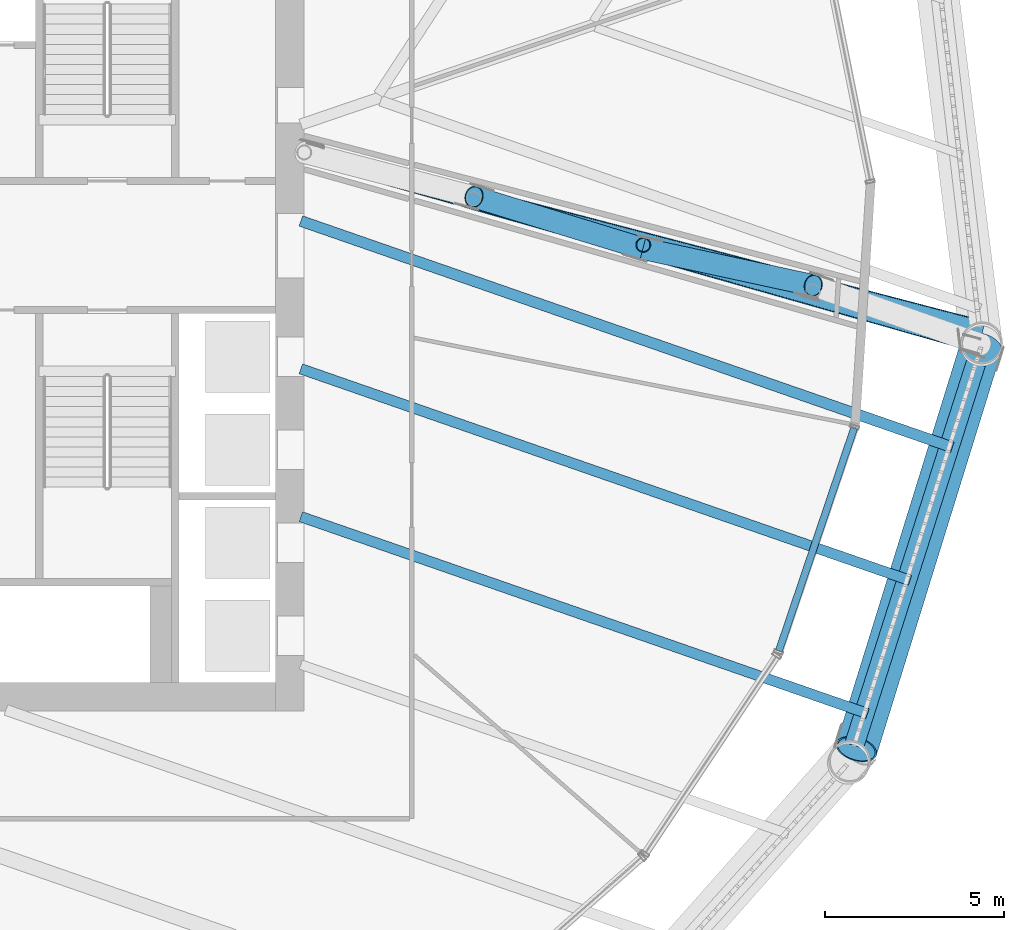
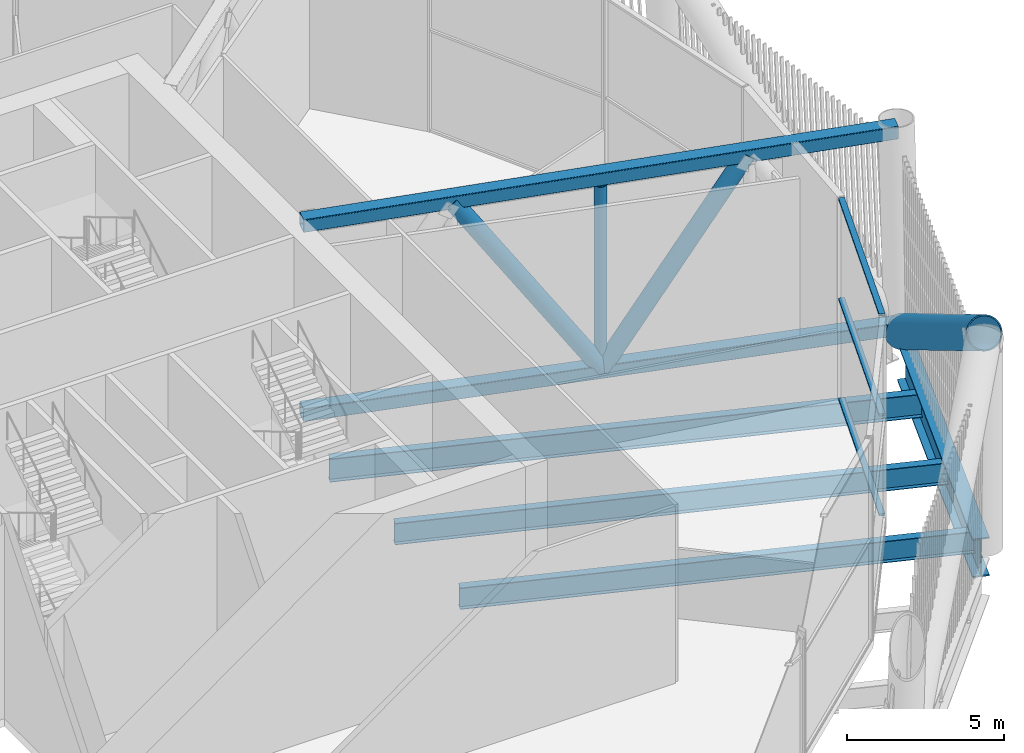
# One storey, part 20 of 63: 9 members, 4 beams, 1 element without a shape of its own.
"""IFC4 building model written with IfcOpenShell, lengths in metres."""

from ifc_helpers import new_model, si_unit, direction, frame, origin, origin_2d, place, context, subcontext, project, spatial, hollow_rectangle, hollow_circle, i_section, extrude, material, layer, layer_set, material_profile, profile_set, type_object, element, aggregate, save


model = new_model("IFC4")

# Units and contexts
model_context = context("Model", 3, precision=1e-05, world=origin(), true_north=direction((0.0, 1.0)))
body_context = subcontext(model_context, "Body", "Model", "MODEL_VIEW")
ifc_project = project(units=[si_unit("LENGTHUNIT", "METRE"), si_unit("AREAUNIT", "SQUARE_METRE"), si_unit("VOLUMEUNIT", "CUBIC_METRE"), si_unit("PLANEANGLEUNIT", "RADIAN"), si_unit("MASSUNIT", "GRAM", prefix="KILO")], contexts=[model_context])

# Site, building, storey
site_placement = place(None, origin())
site = spatial("IfcSite", under=ifc_project, at=site_placement, CompositionType="ELEMENT")
building_placement = place(site_placement, origin())
building = spatial("IfcBuilding", under=site, at=building_placement, Name="Tarsis Ring Headquarters", CompositionType="ELEMENT")
storey_placement = place(building_placement, frame((0.0, 0.0, 139.60009765625)))
storey = spatial("IfcBuildingStorey", under=building, at=storey_placement, Name="L32", CompositionType="ELEMENT", Elevation=139.60009765625)

# Curtain wall, members
ifc_material_1 = material(Name="Aluminium curtain wall", Category="aluminium")
ifc_layer = layer(ifc_material_1, 0.25)
ifc_layer_set = layer_set([ifc_layer], Name="Curtain wall sky lobby")
curtain_wall_type = type_object("IfcCurtainWallType", Name="Curtain wall sky lobby", PredefinedType="NOTDEFINED", material=ifc_layer_set)
curtain_wall_placement = place(storey_placement, origin())
curtain_wall = element("IfcCurtainWall", 1, at=curtain_wall_placement, inside=storey, type_object=curtain_wall_type, Name="Curtain wall L32-21", PredefinedType="NOTDEFINED")
ifc_material_2 = material(Name="Aluminium transom", Category="aluminium")
ifc_material_profile_1 = material_profile(ifc_material_2, hollow_rectangle(XDim=0.199951171875, YDim=0.080078125, WallThickness=0.0048828125, at=origin_2d()), Name="RHS 200x80x5")
ifc_profile_set_1 = profile_set([ifc_material_profile_1], Name="Aluminium transom")
member_type_1 = type_object("IfcMemberType", Name="Curtain wall transom sky lobby RHS 200x80x5", PredefinedType="USERDEFINED", material=ifc_profile_set_1)
member_1_placement = place(storey_placement, frame((23.25439453125, -11.31591796875, 0.039794921875), z_axis=(0.319953588902, 0.947433217144, 0.0), x_axis=(-0.947433217144, 0.319953588902, 0.0)))
member_1 = element("IfcMember", 2, at=member_1_placement, type_object=member_type_1, Name="CW-S transom 1.1", ObjectType="TRANSOM", PredefinedType="USERDEFINED", context=body_context, shape_type="SweptSolid", body=[
    extrude(hollow_rectangle(XDim=0.199951171875, YDim=0.080078125, WallThickness=0.0048828125, at=origin_2d()), origin(), (0.0, 0.0, 1.0), 6.5615234375),
])
member_2_placement = place(storey_placement, frame((23.25439453125, -11.31591796875, 3.919921875), z_axis=(0.319953588902, 0.947433217144, 0.0), x_axis=(-0.947433217144, 0.319953588902, 0.0)))
member_2 = element("IfcMember", 3, at=member_2_placement, type_object=member_type_1, Name="CW-S transom 1.2", ObjectType="TRANSOM", PredefinedType="USERDEFINED", context=body_context, shape_type="SweptSolid", body=[
    extrude(hollow_rectangle(XDim=0.199951171875, YDim=0.080078125, WallThickness=0.0048828125, at=origin_2d()), origin(), (0.0, 0.0, 1.0), 6.5615234375),
])
member_3_placement = place(storey_placement, frame((23.25439453125, -11.31591796875, 7.7998046875), z_axis=(0.319953588902, 0.947433217144, 0.0), x_axis=(-0.947433217144, 0.319953588902, 0.0)))
member_3 = element("IfcMember", 4, at=member_3_placement, type_object=member_type_1, Name="CW-S transom 1.3", ObjectType="TRANSOM", PredefinedType="USERDEFINED", context=body_context, shape_type="SweptSolid", body=[
    extrude(hollow_rectangle(XDim=0.199951171875, YDim=0.080078125, WallThickness=0.0048828125, at=origin_2d()), origin(), (0.0, 0.0, 1.0), 6.5615234375),
])
aggregate(curtain_wall, [member_1, member_2, member_3])

# Beams
ifc_material_3 = material(Name="Structural steel S355", Category="steel")
ifc_material_profile_2 = material_profile(ifc_material_3, i_section(OverallWidth=0.2919921875, OverallDepth=0.835693359375, WebThickness=0.013916015625, FlangeThickness=0.018798828125, at=origin_2d()), Name="W33x118")
ifc_profile_set_2 = profile_set([ifc_material_profile_2], Name="Structural steel S355")
beam_type_1 = type_object("IfcBeamType", Name="FB Floor beam W33x118", PredefinedType="JOIST", material=ifc_profile_set_2)
beam_1_placement = place(storey_placement, frame((9.905517578125, -3.441650390625, -0.718017578125), z_axis=(0.944605595698, -0.328207660752, 0.0), x_axis=(0.328207660752, 0.944605595698, 0.0)))
element("IfcBeam", 5, at=beam_1_placement, inside=storey, type_object=beam_type_1, Name="Floor beam FB7", PredefinedType="JOIST", context=body_context, shape_type="SweptSolid", body=[
    extrude(i_section(OverallWidth=0.2919921875, OverallDepth=0.835693359375, WebThickness=0.013916015625, FlangeThickness=0.018798828125, at=origin_2d()), origin(), (0.0, 0.0, 1.0), 18.003662109375),
])
beam_2_placement = place(storey_placement, frame((9.905517578125, -7.5703125, -0.718017578125), z_axis=(0.944603323671, -0.328214199738, 0.0), x_axis=(0.328214199738, 0.944603323671, 0.0)))
element("IfcBeam", 6, at=beam_2_placement, inside=storey, type_object=beam_type_1, Name="Floor beam FB7", PredefinedType="JOIST", context=body_context, shape_type="SweptSolid", body=[
    extrude(i_section(OverallWidth=0.2919921875, OverallDepth=0.835693359375, WebThickness=0.013916015625, FlangeThickness=0.018798828125, at=origin_2d()), origin(), (0.0, 0.0, 1.0), 16.75),
])
ifc_material_profile_3 = material_profile(ifc_material_3, i_section(OverallWidth=0.3046875, OverallDepth=0.904296875, WebThickness=0.01513671875, FlangeThickness=0.02001953125, at=origin_2d()), Name="W36x135")
ifc_profile_set_3 = profile_set([ifc_material_profile_3], Name="Structural steel S355")
beam_type_2 = type_object("IfcBeamType", Name="FB Floor beam W36x135", PredefinedType="JOIST", material=ifc_profile_set_3)
beam_3_placement = place(storey_placement, frame((9.905517578125, 0.68701171875, -0.752197265625), z_axis=(0.944605007081, -0.328209354829, 0.0), x_axis=(0.328209354829, 0.944605007081, 0.0)))
element("IfcBeam", 7, at=beam_3_placement, inside=storey, type_object=beam_type_2, Name="Floor beam FB8", PredefinedType="JOIST", context=body_context, shape_type="SweptSolid", body=[
    extrude(i_section(OverallWidth=0.3046875, OverallDepth=0.904296875, WebThickness=0.01513671875, FlangeThickness=0.02001953125, at=origin_2d()), origin(), (0.0, 0.0, 1.0), 19.2578125),
])

# Members
ifc_material_profile_4 = material_profile(ifc_material_3, hollow_rectangle(XDim=0.508056640625, YDim=0.508056640625, WallThickness=0.025390625, InnerFilletRadius=0.025390625, OuterFilletRadius=0.05078125, at=origin_2d()), Name="HSS 508x508x25")
ifc_profile_set_4 = profile_set([ifc_material_profile_4], Name="Structural steel S355")
member_type_2 = type_object("IfcMemberType", Name="OC Outrigger chord HSS 508x508x25", PredefinedType="CHORD", material=ifc_profile_set_4)
member_4_placement = place(storey_placement, frame((10.0, 2.60009765625, 0.25390625), z_axis=(0.96197243714, -0.273146536101, 0.0), x_axis=(0.273146536101, 0.96197243714, 0.0)))
element("IfcMember", 8, at=member_4_placement, inside=storey, type_object=member_type_2, Name="Outrigger chord OC1", PredefinedType="CHORD", context=body_context, shape_type="SweptSolid", body=[
    extrude(hollow_rectangle(XDim=0.508056640625, YDim=0.508056640625, WallThickness=0.025390625, InnerFilletRadius=0.025390625, OuterFilletRadius=0.05078125, at=origin_2d()), origin(), (0.0, 0.0, 1.0), 19.663818359375),
])
member_5_placement = place(storey_placement, frame((10.0, 2.60009765625, 7.5859375), z_axis=(0.967487975303, -0.25291701731, 0.0), x_axis=(0.25291701731, 0.967487975303, 0.0)))
element("IfcMember", 9, at=member_5_placement, inside=storey, type_object=member_type_2, Name="Outrigger chord OC1", PredefinedType="CHORD", context=body_context, shape_type="SweptSolid", body=[
    extrude(hollow_rectangle(XDim=0.508056640625, YDim=0.508056640625, WallThickness=0.025390625, InnerFilletRadius=0.025390625, OuterFilletRadius=0.05078125, at=origin_2d()), origin(), (0.0, 0.0, 1.0), 19.58984375),
])
ifc_material_profile_5 = material_profile(ifc_material_3, hollow_circle(Radius=0.3046875, WallThickness=0.02490234375, at=origin_2d()), Name="CHS 610x25")
ifc_profile_set_5 = profile_set([ifc_material_profile_5], Name="Structural steel S355")
member_type_3 = type_object("IfcMemberType", Name="OD Outrigger diagonal CHS 610x25", PredefinedType="BRACE", material=ifc_profile_set_5)
member_6_placement = place(storey_placement, frame((14.73828125, 1.361328125, 7.5859375), z_axis=(0.533966995376, -0.163681378781, -0.829510490644), x_axis=(0.293077846788, 0.956088581525, 0.0)))
element("IfcMember", 10, at=member_6_placement, inside=storey, type_object=member_type_3, Name="Outrigger diagonal OD1", PredefinedType="BRACE", context=body_context, shape_type="SweptSolid", body=[
    extrude(hollow_circle(Radius=0.3046875, WallThickness=0.02490234375, at=origin_2d()), origin(), (0.0, 0.0, 1.0), 8.8388671875),
])
member_7_placement = place(storey_placement, frame((19.4580078125, -0.08544921875, 0.25390625), z_axis=(0.540503260535, -0.117072512419, 0.83315679928), x_axis=(0.211690259455, 0.977336806864, 0.0)))
element("IfcMember", 11, at=member_7_placement, inside=storey, type_object=member_type_3, Name="Outrigger diagonal OD1", PredefinedType="BRACE", context=body_context, shape_type="SweptSolid", body=[
    extrude(hollow_circle(Radius=0.3046875, WallThickness=0.02490234375, at=origin_2d()), origin(), (0.0, 0.0, 1.0), 8.80029296875),
])
ifc_material_profile_6 = material_profile(ifc_material_3, hollow_circle(Radius=0.203125, WallThickness=0.01611328125, at=origin_2d()), Name="CHS 406x16")
ifc_profile_set_6 = profile_set([ifc_material_profile_6], Name="Structural steel S355")
member_type_4 = type_object("IfcMemberType", Name="OV Outrigger post CHS 406x16", PredefinedType="STRUT", material=ifc_profile_set_6)
member_8_placement = place(storey_placement, frame((19.46728515625, 0.0185546875, 0.5078125), z_axis=(0.0, 0.0, 1.0), x_axis=(1.0, 0.0, 0.0)))
element("IfcMember", 12, at=member_8_placement, inside=storey, type_object=member_type_4, Name="Outrigger post OV1", PredefinedType="STRUT", context=body_context, shape_type="SweptSolid", body=[
    extrude(hollow_circle(Radius=0.203125, WallThickness=0.01611328125, at=origin_2d()), origin(), (0.0, 0.0, 1.0), 6.823974609375),
])
ifc_material_profile_7 = material_profile(ifc_material_3, hollow_circle(Radius=0.584228515625, WallThickness=0.044921875, at=origin_2d()), Name="CHS 1168x45")
ifc_profile_set_7 = profile_set([ifc_material_profile_7], Name="Structural steel S355")
member_type_5 = type_object("IfcMemberType", Name="TD Belt truss diagonal CHS 1168x45", PredefinedType="BRACE", material=ifc_profile_set_7)
member_9_placement = place(storey_placement, frame((28.91455078125, -2.785400390625, 0.0), z_axis=(-0.245095444053, -0.790644273378, 0.561079188956), x_axis=(0.955158788745, -0.296094053104, 0.0)))
element("IfcMember", 13, at=member_9_placement, inside=storey, type_object=member_type_5, Name="Belt truss diagonal TD3", PredefinedType="BRACE", context=body_context, shape_type="SweptSolid", body=[
    extrude(hollow_circle(Radius=0.584228515625, WallThickness=0.044921875, at=origin_2d()), origin(), (0.0, 0.0, 1.0), 14.25830078125),
])

# Beam
ifc_material_profile_8 = material_profile(ifc_material_3, i_section(OverallWidth=0.550048828125, OverallDepth=1.5, WebThickness=0.030029296875, FlangeThickness=0.050048828125, at=origin_2d()), Name="PG 1500x550x30x50")
ifc_profile_set_8 = profile_set([ifc_material_profile_8], Name="Structural steel S355")
beam_type_3 = type_object("IfcBeamType", Name="XG Ring girder PG 1500x550x30x50", PredefinedType="BEAM", material=ifc_profile_set_8)
beam_4_placement = place(storey_placement, frame((25.35546875, -13.955078125, -0.75), z_axis=(0.303614910906, 0.952794828846, 0.0), x_axis=(-0.952794828846, 0.303614910906, 0.0)))
element("IfcBeam", 14, at=beam_4_placement, inside=storey, type_object=beam_type_3, Name="Ring girder XG6", PredefinedType="BEAM", context=body_context, shape_type="SweptSolid", body=[
    extrude(i_section(OverallWidth=0.550048828125, OverallDepth=1.5, WebThickness=0.030029296875, FlangeThickness=0.050048828125, at=origin_2d()), origin(), (0.0, 0.0, 1.0), 11.197265625),
])

save(model, "model.ifc")
